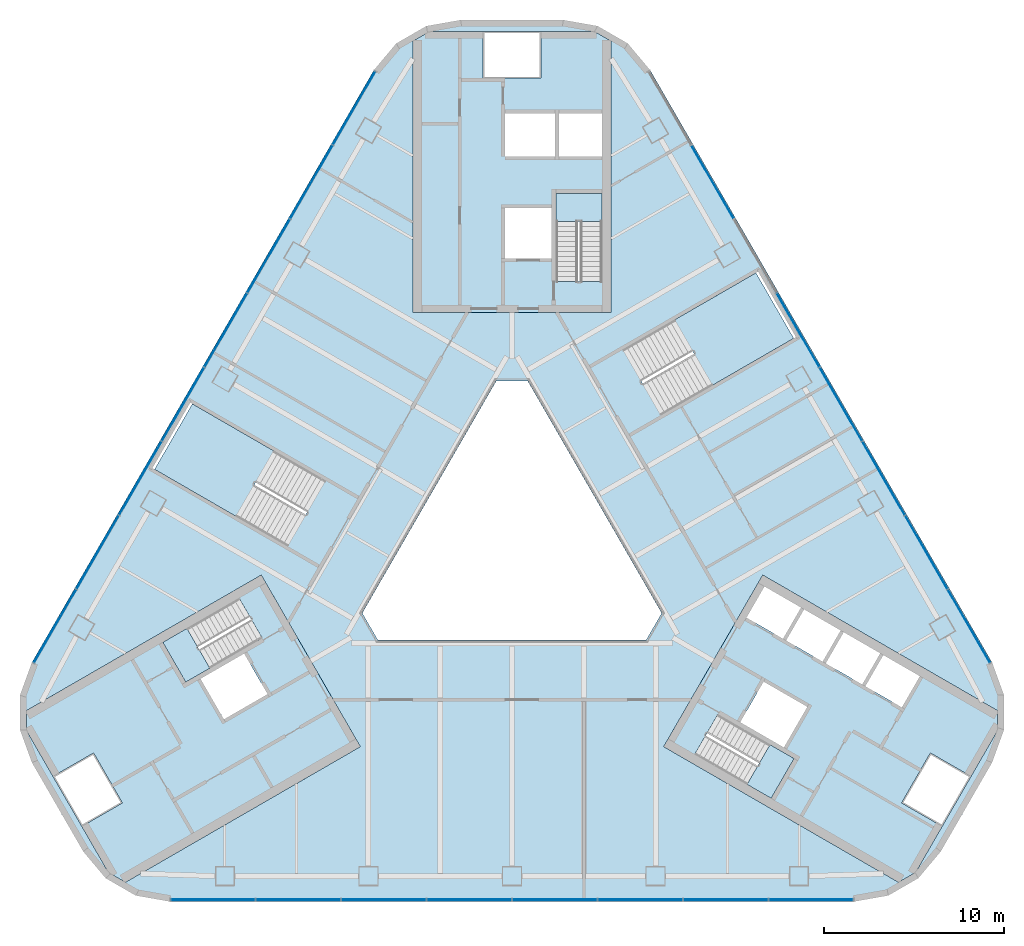
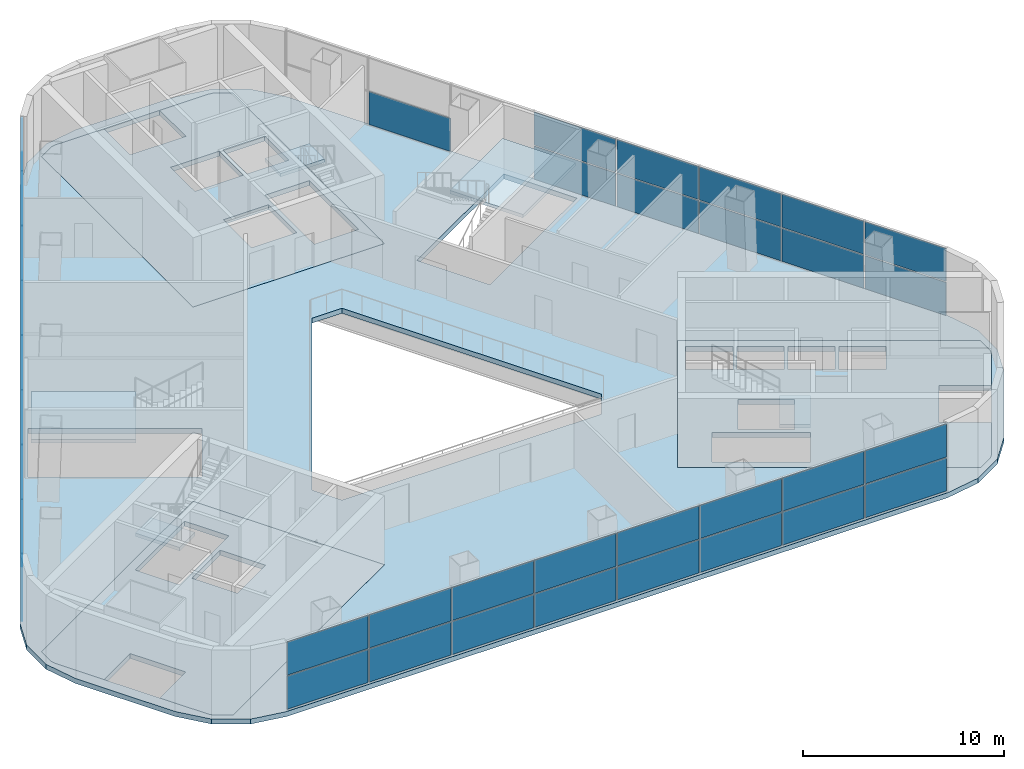
# One storey, part 6 of 12: 43 plates, 9 slabs, 8 elements without a shape of their own.
"""IFC4 building model written with IfcOpenShell, lengths in metres."""

from ifc_helpers import new_model, si_unit, direction, frame, origin, origin_2d, place, context, subcontext, project, spatial, polyline, rectangle, outline, extrude, material, layer, layer_set, type_object, element, aggregate, save


model = new_model("IFC4")

# Units and contexts
model_context = context("Model", 3, precision=1e-05, world=origin(), true_north=direction((0.0, 1.0)))
body_context = subcontext(model_context, "Body", "Model", "MODEL_VIEW")
ifc_project = project(units=[si_unit("LENGTHUNIT", "METRE"), si_unit("AREAUNIT", "SQUARE_METRE"), si_unit("VOLUMEUNIT", "CUBIC_METRE"), si_unit("PLANEANGLEUNIT", "RADIAN"), si_unit("MASSUNIT", "GRAM", prefix="KILO")], contexts=[model_context])

# Site, building, storey
site_placement = place(None, origin())
site = spatial("IfcSite", under=ifc_project, at=site_placement, CompositionType="ELEMENT")
building_placement = place(site_placement, origin())
building = spatial("IfcBuilding", under=site, at=building_placement, Name="Apuvela Tower Hotel", CompositionType="ELEMENT")
storey_placement = place(building_placement, frame((0.0, 0.0, 28.5)))
storey = spatial("IfcBuildingStorey", under=building, at=storey_placement, Name="L04", CompositionType="ELEMENT", Elevation=28.5)

# Slabs
ifc_material_1 = material(Name="Concrete C50/60", Category="concrete")
ifc_layer_1 = layer(ifc_material_1, 0.300048828125)
ifc_layer_set_1 = layer_set([ifc_layer_1], Name="COR-FLOOR-300")
slab_type_1 = type_object("IfcSlabType", Name="COR-FLOOR-300", PredefinedType="FLOOR", material=ifc_layer_set_1)
slab_1_placement = place(storey_placement, frame((0.0, 0.0, -0.300048828125)))
element("IfcSlab", 1, at=slab_1_placement, inside=storey, type_object=slab_type_1, Name="Core floor N", PredefinedType="FLOOR", context=body_context, shape_type="SweptSolid", body=[
    extrude(outline(polyline([(5.5, 27.96142578125), (4.6328125, 28.462158203125), (4.41845703125, 28.5), (1.60009765625, 28.5), (1.60009765625, 25.89990234375), (-1.60009765625, 25.89990234375), (-1.60009765625, 28.5), (-4.41845703125, 28.5), (-4.6328125, 28.462158203125), (-5.5, 27.96142578125), (-5.5, 12.89990234375), (5.5, 12.89990234375), (5.5, 27.96142578125)]), holes=[polyline([(5.0, 14.60595703125), (2.449951171875, 14.60595703125), (2.449951171875, 19.5), (5.0, 19.5), (5.0, 14.60595703125)]), polyline([(2.199951171875, 15.89990234375), (-0.39990234375, 15.89990234375), (-0.39990234375, 18.699951171875), (2.199951171875, 18.699951171875), (2.199951171875, 15.89990234375)]), polyline([(5.0, 21.550048828125), (2.60009765625, 21.550048828125), (2.60009765625, 23.949951171875), (5.0, 23.949951171875), (5.0, 21.550048828125)]), polyline([(2.39990234375, 21.550048828125), (-0.39990234375, 21.550048828125), (-0.39990234375, 23.949951171875), (2.39990234375, 23.949951171875), (2.39990234375, 21.550048828125)])]), origin(), (0.0, 0.0, 1.0), 0.300048828125),
])
slab_2_placement = place(storey_placement, frame((0.0, 0.0, -0.300048828125)))
element("IfcSlab", 2, at=slab_2_placement, inside=storey, type_object=slab_type_1, Name="Core floor SW", PredefinedType="FLOOR", context=body_context, shape_type="SweptSolid", body=[
    extrude(outline(polyline([(-26.96533203125, -9.217529296875), (-26.96533203125, -10.218994140625), (-26.89111328125, -10.423583984375), (-25.481689453125, -12.864501953125), (-23.22998046875, -11.564453125), (-21.630126953125, -14.335693359375), (-23.881591796875, -15.635498046875), (-22.472412109375, -18.076416015625), (-22.33251953125, -18.2431640625), (-21.46533203125, -18.743896484375), (-8.421630859375, -11.213134765625), (-13.921630859375, -1.68701171875), (-26.96533203125, -9.217529296875)]), holes=[polyline([(-13.874267578125, -5.18115234375), (-18.112548828125, -7.628173828125), (-19.387451171875, -5.419921875), (-15.149169921875, -2.972900390625), (-13.874267578125, -5.18115234375)]), polyline([(-13.56982421875, -8.29638671875), (-15.99462890625, -9.6962890625), (-17.294677734375, -7.444580078125), (-14.869873046875, -6.044677734375), (-13.56982421875, -8.29638671875)])]), origin(), (0.0, 0.0, 1.0), 0.300048828125),
])
slab_3_placement = place(storey_placement, frame((0.0, 0.0, -0.300048828125)))
element("IfcSlab", 3, at=slab_3_placement, inside=storey, type_object=slab_type_1, Name="Core floor SE", PredefinedType="FLOOR", context=body_context, shape_type="SweptSolid", body=[
    extrude(outline(polyline([(21.46533203125, -18.743896484375), (22.33251953125, -18.2431640625), (22.472412109375, -18.076416015625), (23.881591796875, -15.635498046875), (21.630126953125, -14.335693359375), (23.22998046875, -11.564453125), (25.481689453125, -12.864501953125), (26.89111328125, -10.423583984375), (26.96533203125, -10.218994140625), (26.96533203125, -9.217529296875), (13.921630859375, -1.68701171875), (8.421630859375, -11.213134765625), (21.46533203125, -18.743896484375)]), holes=[polyline([(13.01806640625, -4.052001953125), (14.01806640625, -2.31982421875), (16.044677734375, -3.489990234375), (15.044677734375, -5.221923828125), (13.01806640625, -4.052001953125)]), polyline([(17.244384765625, -6.491943359375), (15.2177734375, -5.322021484375), (16.2177734375, -3.58984375), (18.244384765625, -4.760009765625), (17.244384765625, -6.491943359375)]), polyline([(14.387451171875, -14.080078125), (10.149169921875, -11.633056640625), (11.42431640625, -9.4248046875), (15.66259765625, -11.871826171875), (14.387451171875, -14.080078125)]), polyline([(12.669921875, -9.855224609375), (13.9697265625, -7.603515625), (16.394775390625, -9.003662109375), (15.0947265625, -11.25537109375), (12.669921875, -9.855224609375)]), polyline([(19.444091796875, -7.761962890625), (17.41748046875, -6.591796875), (18.41748046875, -4.85986328125), (20.444091796875, -6.02978515625), (19.444091796875, -7.761962890625)]), polyline([(21.643798828125, -9.031982421875), (19.6171875, -7.86181640625), (20.6171875, -6.1298828125), (22.643798828125, -7.2998046875), (21.643798828125, -9.031982421875)])]), origin(), (0.0, 0.0, 1.0), 0.300048828125),
])

# Stair, slab
stair_type_1 = type_object("IfcStairType", Name="COR-STAIR-26R", PredefinedType="HALF_TURN_STAIR", material=ifc_material_1)
stair_1_placement = place(storey_placement, origin())
stair_1 = element("IfcStair", 4, at=stair_1_placement, inside=storey, type_object=stair_type_1, Name="L04 Exit stair ST1", PredefinedType="HALF_TURN_STAIR")
ifc_layer_2 = layer(ifc_material_1, 0.199951171875)
ifc_layer_set_2 = layer_set([ifc_layer_2], Name="COR-LANDING-200")
slab_type_2 = type_object("IfcSlabType", Name="COR-LANDING-200", PredefinedType="LANDING", material=ifc_layer_set_2)
slab_4_placement = place(storey_placement, frame((0.0, 0.0, 2.050048828125)))
slab_4 = element("IfcSlab", 5, at=slab_4_placement, type_object=slab_type_2, Name="ST1 landing 1", PredefinedType="LANDING", context=body_context, shape_type="SweptSolid", body=[
    extrude(outline(polyline([(5.0, 17.9541015625), (5.0, 19.5), (2.449951171875, 19.5), (2.449951171875, 17.9541015625), (5.0, 17.9541015625)])), origin(), (0.0, 0.0, 1.0), 0.199951171875),
])
aggregate(stair_1, [slab_4])

stair_2_placement = place(storey_placement, origin())
stair_2 = element("IfcStair", 6, at=stair_2_placement, inside=storey, type_object=stair_type_1, Name="L04 Exit stair ST2", PredefinedType="HALF_TURN_STAIR")
slab_5_placement = place(storey_placement, frame((0.0, 0.0, 2.050048828125)))
slab_5 = element("IfcSlab", 7, at=slab_5_placement, type_object=slab_type_2, Name="ST2 landing 1", PredefinedType="LANDING", context=body_context, shape_type="SweptSolid", body=[
    extrude(outline(polyline([(-18.048583984375, -4.64697265625), (-19.387451171875, -5.419921875), (-18.112548828125, -7.628173828125), (-16.773681640625, -6.855224609375), (-18.048583984375, -4.64697265625)])), origin(), (0.0, 0.0, 1.0), 0.199951171875),
])
aggregate(stair_2, [slab_5])

stair_3_placement = place(storey_placement, origin())
stair_3 = element("IfcStair", 8, at=stair_3_placement, inside=storey, type_object=stair_type_1, Name="L04 Exit stair ST3", PredefinedType="HALF_TURN_STAIR")
slab_6_placement = place(storey_placement, frame((0.0, 0.0, 2.050048828125)))
slab_6 = element("IfcSlab", 9, at=slab_6_placement, type_object=slab_type_2, Name="ST3 landing 1", PredefinedType="LANDING", context=body_context, shape_type="SweptSolid", body=[
    extrude(outline(polyline([(13.048583984375, -13.30712890625), (14.387451171875, -14.080078125), (15.66259765625, -11.871826171875), (14.32373046875, -11.098876953125), (13.048583984375, -13.30712890625)])), origin(), (0.0, 0.0, 1.0), 0.199951171875),
])
aggregate(stair_3, [slab_6])

# Curtain wall, plates
ifc_material_2 = material(Name="Aluminium 6063-T6, dark bronze anodised", Category="aluminium")
ifc_layer_3 = layer(ifc_material_2, 0.199951171875)
ifc_layer_set_3 = layer_set([ifc_layer_3], Name="ENV-CW-P")
curtain_wall_type = type_object("IfcCurtainWallType", Name="ENV-CW-P", PredefinedType="NOTDEFINED", material=ifc_layer_set_3)
curtain_wall_1_placement = place(storey_placement, origin())
curtain_wall_1 = element("IfcCurtainWall", 10, at=curtain_wall_1_placement, inside=storey, type_object=curtain_wall_type, Name="Curtain wall CW-P S L04", PredefinedType="NOTDEFINED")
ifc_material_3 = material(Name="Glass, dark tinted laminated insulated glazing unit", Category="glass")
ifc_layer_4 = layer(ifc_material_3, 0.0400390625)
ifc_layer_set_4 = layer_set([ifc_layer_4], Name="ENV-PANEL-IGU-40")
plate_type = type_object("IfcPlateType", Name="ENV-PANEL-IGU-40", PredefinedType="CURTAIN_PANEL", material=ifc_layer_set_4)
plate_1_placement = place(storey_placement, frame((-16.602294921875, -19.71435546875, 0.06494140625), z_axis=(0.0, 0.0, 1.0), x_axis=(1.0, 0.0, 0.0)))
plate_1 = element("IfcPlate", 11, at=plate_1_placement, type_object=plate_type, Name="CW-P panel 1.1", PredefinedType="CURTAIN_PANEL", context=body_context, shape_type="SweptSolid", body=[
    extrude(rectangle(XDim=4.650634765625, YDim=0.0400390625, at=origin_2d()), origin(), (0.0, 0.0, 1.0), 2.00244140625),
])
plate_2_placement = place(storey_placement, frame((-16.602294921875, -19.71435546875, 2.132568359375), z_axis=(0.0, 0.0, 1.0), x_axis=(1.0, 0.0, 0.0)))
plate_2 = element("IfcPlate", 12, at=plate_2_placement, type_object=plate_type, Name="CW-P panel 1.2", PredefinedType="CURTAIN_PANEL", context=body_context, shape_type="SweptSolid", body=[
    extrude(rectangle(XDim=4.650634765625, YDim=0.0400390625, at=origin_2d()), origin(), (0.0, 0.0, 1.0), 2.00244140625),
])
plate_3_placement = place(storey_placement, frame((-11.870361328125, -19.71435546875, 0.06494140625), z_axis=(0.0, 0.0, 1.0), x_axis=(1.0, 0.0, 0.0)))
plate_3 = element("IfcPlate", 13, at=plate_3_placement, type_object=plate_type, Name="CW-P panel 2.1", PredefinedType="CURTAIN_PANEL", context=body_context, shape_type="SweptSolid", body=[
    extrude(rectangle(XDim=4.68310546875, YDim=0.0400390625, at=origin_2d()), origin(), (0.0, 0.0, 1.0), 2.00244140625),
])
plate_4_placement = place(storey_placement, frame((-11.870361328125, -19.71435546875, 2.132568359375), z_axis=(0.0, 0.0, 1.0), x_axis=(1.0, 0.0, 0.0)))
plate_4 = element("IfcPlate", 14, at=plate_4_placement, type_object=plate_type, Name="CW-P panel 2.2", PredefinedType="CURTAIN_PANEL", context=body_context, shape_type="SweptSolid", body=[
    extrude(rectangle(XDim=4.68310546875, YDim=0.0400390625, at=origin_2d()), origin(), (0.0, 0.0, 1.0), 2.00244140625),
])
plate_5_placement = place(storey_placement, frame((-7.1220703125, -19.71435546875, 0.06494140625), z_axis=(0.0, 0.0, 1.0), x_axis=(1.0, 0.0, 0.0)))
plate_5 = element("IfcPlate", 15, at=plate_5_placement, type_object=plate_type, Name="CW-P panel 3.1", PredefinedType="CURTAIN_PANEL", context=body_context, shape_type="SweptSolid", body=[
    extrude(rectangle(XDim=4.68310546875, YDim=0.0400390625, at=origin_2d()), origin(), (0.0, 0.0, 1.0), 2.00244140625),
])
plate_6_placement = place(storey_placement, frame((-7.1220703125, -19.71435546875, 2.132568359375), z_axis=(0.0, 0.0, 1.0), x_axis=(1.0, 0.0, 0.0)))
plate_6 = element("IfcPlate", 16, at=plate_6_placement, type_object=plate_type, Name="CW-P panel 3.2", PredefinedType="CURTAIN_PANEL", context=body_context, shape_type="SweptSolid", body=[
    extrude(rectangle(XDim=4.68310546875, YDim=0.0400390625, at=origin_2d()), origin(), (0.0, 0.0, 1.0), 2.00244140625),
])
plate_7_placement = place(storey_placement, frame((-2.3740234375, -19.71435546875, 0.06494140625), z_axis=(0.0, 0.0, 1.0), x_axis=(1.0, 0.0, 0.0)))
plate_7 = element("IfcPlate", 17, at=plate_7_placement, type_object=plate_type, Name="CW-P panel 4.1", PredefinedType="CURTAIN_PANEL", context=body_context, shape_type="SweptSolid", body=[
    extrude(rectangle(XDim=4.68310546875, YDim=0.0400390625, at=origin_2d()), origin(), (0.0, 0.0, 1.0), 2.00244140625),
])
plate_8_placement = place(storey_placement, frame((-2.3740234375, -19.71435546875, 2.132568359375), z_axis=(0.0, 0.0, 1.0), x_axis=(1.0, 0.0, 0.0)))
plate_8 = element("IfcPlate", 18, at=plate_8_placement, type_object=plate_type, Name="CW-P panel 4.2", PredefinedType="CURTAIN_PANEL", context=body_context, shape_type="SweptSolid", body=[
    extrude(rectangle(XDim=4.68310546875, YDim=0.0400390625, at=origin_2d()), origin(), (0.0, 0.0, 1.0), 2.00244140625),
])
plate_9_placement = place(storey_placement, frame((2.3740234375, -19.71435546875, 0.06494140625), z_axis=(0.0, 0.0, 1.0), x_axis=(1.0, 0.0, 0.0)))
plate_9 = element("IfcPlate", 19, at=plate_9_placement, type_object=plate_type, Name="CW-P panel 5.1", PredefinedType="CURTAIN_PANEL", context=body_context, shape_type="SweptSolid", body=[
    extrude(rectangle(XDim=4.68310546875, YDim=0.0400390625, at=origin_2d()), origin(), (0.0, 0.0, 1.0), 2.00244140625),
])
plate_10_placement = place(storey_placement, frame((2.3740234375, -19.71435546875, 2.132568359375), z_axis=(0.0, 0.0, 1.0), x_axis=(1.0, 0.0, 0.0)))
plate_10 = element("IfcPlate", 20, at=plate_10_placement, type_object=plate_type, Name="CW-P panel 5.2", PredefinedType="CURTAIN_PANEL", context=body_context, shape_type="SweptSolid", body=[
    extrude(rectangle(XDim=4.68310546875, YDim=0.0400390625, at=origin_2d()), origin(), (0.0, 0.0, 1.0), 2.00244140625),
])
plate_11_placement = place(storey_placement, frame((7.1220703125, -19.71435546875, 0.06494140625), z_axis=(0.0, 0.0, 1.0), x_axis=(1.0, 0.0, 0.0)))
plate_11 = element("IfcPlate", 21, at=plate_11_placement, type_object=plate_type, Name="CW-P panel 6.1", PredefinedType="CURTAIN_PANEL", context=body_context, shape_type="SweptSolid", body=[
    extrude(rectangle(XDim=4.68310546875, YDim=0.0400390625, at=origin_2d()), origin(), (0.0, 0.0, 1.0), 2.00244140625),
])
plate_12_placement = place(storey_placement, frame((7.1220703125, -19.71435546875, 2.132568359375), z_axis=(0.0, 0.0, 1.0), x_axis=(1.0, 0.0, 0.0)))
plate_12 = element("IfcPlate", 22, at=plate_12_placement, type_object=plate_type, Name="CW-P panel 6.2", PredefinedType="CURTAIN_PANEL", context=body_context, shape_type="SweptSolid", body=[
    extrude(rectangle(XDim=4.68310546875, YDim=0.0400390625, at=origin_2d()), origin(), (0.0, 0.0, 1.0), 2.00244140625),
])
plate_13_placement = place(storey_placement, frame((11.870361328125, -19.71435546875, 0.06494140625), z_axis=(0.0, 0.0, 1.0), x_axis=(1.0, 0.0, 0.0)))
plate_13 = element("IfcPlate", 23, at=plate_13_placement, type_object=plate_type, Name="CW-P panel 7.1", PredefinedType="CURTAIN_PANEL", context=body_context, shape_type="SweptSolid", body=[
    extrude(rectangle(XDim=4.68310546875, YDim=0.0400390625, at=origin_2d()), origin(), (0.0, 0.0, 1.0), 2.00244140625),
])
plate_14_placement = place(storey_placement, frame((11.870361328125, -19.71435546875, 2.132568359375), z_axis=(0.0, 0.0, 1.0), x_axis=(1.0, 0.0, 0.0)))
plate_14 = element("IfcPlate", 24, at=plate_14_placement, type_object=plate_type, Name="CW-P panel 7.2", PredefinedType="CURTAIN_PANEL", context=body_context, shape_type="SweptSolid", body=[
    extrude(rectangle(XDim=4.68310546875, YDim=0.0400390625, at=origin_2d()), origin(), (0.0, 0.0, 1.0), 2.00244140625),
])
plate_15_placement = place(storey_placement, frame((16.602294921875, -19.71435546875, 0.06494140625), z_axis=(0.0, 0.0, 1.0), x_axis=(1.0, 0.0, 0.0)))
plate_15 = element("IfcPlate", 25, at=plate_15_placement, type_object=plate_type, Name="CW-P panel 8.1", PredefinedType="CURTAIN_PANEL", context=body_context, shape_type="SweptSolid", body=[
    extrude(rectangle(XDim=4.650634765625, YDim=0.0400390625, at=origin_2d()), origin(), (0.0, 0.0, 1.0), 2.00244140625),
])
plate_16_placement = place(storey_placement, frame((16.602294921875, -19.71435546875, 2.132568359375), z_axis=(0.0, 0.0, 1.0), x_axis=(1.0, 0.0, 0.0)))
plate_16 = element("IfcPlate", 26, at=plate_16_placement, type_object=plate_type, Name="CW-P panel 8.2", PredefinedType="CURTAIN_PANEL", context=body_context, shape_type="SweptSolid", body=[
    extrude(rectangle(XDim=4.650634765625, YDim=0.0400390625, at=origin_2d()), origin(), (0.0, 0.0, 1.0), 2.00244140625),
])
aggregate(curtain_wall_1, [plate_1, plate_2, plate_3, plate_4, plate_5, plate_6, plate_7, plate_8, plate_9, plate_10, plate_11, plate_12, plate_13, plate_14, plate_15, plate_16])

curtain_wall_2_placement = place(storey_placement, origin())
curtain_wall_2 = element("IfcCurtainWall", 27, at=curtain_wall_2_placement, inside=storey, type_object=curtain_wall_type, Name="Curtain wall CW-P NE L04", PredefinedType="NOTDEFINED")
plate_17_placement = place(storey_placement, frame((25.374267578125, -4.520751953125, 0.06494140625), z_axis=(0.0, 0.0, 1.0), x_axis=(-0.500001689039, 0.866024428615, 0.0)))
plate_17 = element("IfcPlate", 28, at=plate_17_placement, type_object=plate_type, Name="CW-P panel 1.1", PredefinedType="CURTAIN_PANEL", context=body_context, shape_type="SweptSolid", body=[
    extrude(rectangle(XDim=4.650634765625, YDim=0.0400390625, at=origin_2d()), origin(), (0.0, 0.0, 1.0), 2.00244140625),
])
plate_18_placement = place(storey_placement, frame((25.374267578125, -4.520751953125, 2.132568359375), z_axis=(0.0, 0.0, 1.0), x_axis=(-0.500001689039, 0.866024428615, 0.0)))
plate_18 = element("IfcPlate", 29, at=plate_18_placement, type_object=plate_type, Name="CW-P panel 1.2", PredefinedType="CURTAIN_PANEL", context=body_context, shape_type="SweptSolid", body=[
    extrude(rectangle(XDim=4.650634765625, YDim=0.0400390625, at=origin_2d()), origin(), (0.0, 0.0, 1.0), 2.00244140625),
])
plate_19_placement = place(storey_placement, frame((23.00830078125, -0.4228515625, 0.06494140625), z_axis=(0.0, 0.0, 1.0), x_axis=(-0.500001689039, 0.866024428615, 0.0)))
plate_19 = element("IfcPlate", 30, at=plate_19_placement, type_object=plate_type, Name="CW-P panel 2.1", PredefinedType="CURTAIN_PANEL", context=body_context, shape_type="SweptSolid", body=[
    extrude(rectangle(XDim=4.68310546875, YDim=0.0400390625, at=origin_2d()), origin(), (0.0, 0.0, 1.0), 2.00244140625),
])
plate_20_placement = place(storey_placement, frame((23.00830078125, -0.4228515625, 2.132568359375), z_axis=(0.0, 0.0, 1.0), x_axis=(-0.500001689039, 0.866024428615, 0.0)))
plate_20 = element("IfcPlate", 31, at=plate_20_placement, type_object=plate_type, Name="CW-P panel 2.2", PredefinedType="CURTAIN_PANEL", context=body_context, shape_type="SweptSolid", body=[
    extrude(rectangle(XDim=4.68310546875, YDim=0.0400390625, at=origin_2d()), origin(), (0.0, 0.0, 1.0), 2.00244140625),
])
plate_21_placement = place(storey_placement, frame((20.63427734375, 3.689208984375, 0.06494140625), z_axis=(0.0, 0.0, 1.0), x_axis=(-0.500001689039, 0.866024428615, 0.0)))
plate_21 = element("IfcPlate", 32, at=plate_21_placement, type_object=plate_type, Name="CW-P panel 3.1", PredefinedType="CURTAIN_PANEL", context=body_context, shape_type="SweptSolid", body=[
    extrude(rectangle(XDim=4.68310546875, YDim=0.0400390625, at=origin_2d()), origin(), (0.0, 0.0, 1.0), 2.00244140625),
])
plate_22_placement = place(storey_placement, frame((20.63427734375, 3.689208984375, 2.132568359375), z_axis=(0.0, 0.0, 1.0), x_axis=(-0.500001689039, 0.866024428615, 0.0)))
plate_22 = element("IfcPlate", 33, at=plate_22_placement, type_object=plate_type, Name="CW-P panel 3.2", PredefinedType="CURTAIN_PANEL", context=body_context, shape_type="SweptSolid", body=[
    extrude(rectangle(XDim=4.68310546875, YDim=0.0400390625, at=origin_2d()), origin(), (0.0, 0.0, 1.0), 2.00244140625),
])
plate_23_placement = place(storey_placement, frame((18.26025390625, 7.80126953125, 0.06494140625), z_axis=(0.0, 0.0, 1.0), x_axis=(-0.500001689039, 0.866024428615, 0.0)))
plate_23 = element("IfcPlate", 34, at=plate_23_placement, type_object=plate_type, Name="CW-P panel 4.1", PredefinedType="CURTAIN_PANEL", context=body_context, shape_type="SweptSolid", body=[
    extrude(rectangle(XDim=4.68310546875, YDim=0.0400390625, at=origin_2d()), origin(), (0.0, 0.0, 1.0), 2.00244140625),
])
plate_24_placement = place(storey_placement, frame((18.26025390625, 7.80126953125, 2.132568359375), z_axis=(0.0, 0.0, 1.0), x_axis=(-0.500001689039, 0.866024428615, 0.0)))
plate_24 = element("IfcPlate", 35, at=plate_24_placement, type_object=plate_type, Name="CW-P panel 4.2", PredefinedType="CURTAIN_PANEL", context=body_context, shape_type="SweptSolid", body=[
    extrude(rectangle(XDim=4.68310546875, YDim=0.0400390625, at=origin_2d()), origin(), (0.0, 0.0, 1.0), 2.00244140625),
])
plate_25_placement = place(storey_placement, frame((15.885986328125, 11.9130859375, 0.06494140625), z_axis=(0.0, 0.0, 1.0), x_axis=(-0.500001689039, 0.866024428615, 0.0)))
plate_25 = element("IfcPlate", 36, at=plate_25_placement, type_object=plate_type, Name="CW-P panel 5.1", PredefinedType="CURTAIN_PANEL", context=body_context, shape_type="SweptSolid", body=[
    extrude(rectangle(XDim=4.68310546875, YDim=0.0400390625, at=origin_2d()), origin(), (0.0, 0.0, 1.0), 2.00244140625),
])
plate_26_placement = place(storey_placement, frame((15.885986328125, 11.9130859375, 2.132568359375), z_axis=(0.0, 0.0, 1.0), x_axis=(-0.500001689039, 0.866024428615, 0.0)))
plate_26 = element("IfcPlate", 37, at=plate_26_placement, type_object=plate_type, Name="CW-P panel 5.2", PredefinedType="CURTAIN_PANEL", context=body_context, shape_type="SweptSolid", body=[
    extrude(rectangle(XDim=4.68310546875, YDim=0.0400390625, at=origin_2d()), origin(), (0.0, 0.0, 1.0), 2.00244140625),
])
plate_27_placement = place(storey_placement, frame((11.137939453125, 20.13720703125, 0.06494140625), z_axis=(0.0, 0.0, 1.0), x_axis=(-0.500001689039, 0.866024428615, 0.0)))
plate_27 = element("IfcPlate", 38, at=plate_27_placement, type_object=plate_type, Name="CW-P panel 7.1", PredefinedType="CURTAIN_PANEL", context=body_context, shape_type="SweptSolid", body=[
    extrude(rectangle(XDim=4.68310546875, YDim=0.0400390625, at=origin_2d()), origin(), (0.0, 0.0, 1.0), 2.00244140625),
])
aggregate(curtain_wall_2, [plate_17, plate_18, plate_19, plate_20, plate_21, plate_22, plate_23, plate_24, plate_25, plate_26, plate_27])

curtain_wall_3_placement = place(storey_placement, origin())
curtain_wall_3 = element("IfcCurtainWall", 39, at=curtain_wall_3_placement, inside=storey, type_object=curtain_wall_type, Name="Curtain wall CW-P NW L04", PredefinedType="NOTDEFINED")
plate_28_placement = place(storey_placement, frame((-8.77197265625, 24.235107421875, 0.06494140625), z_axis=(0.0, 0.0, 1.0), x_axis=(-0.500001689039, -0.866024428615, 0.0)))
plate_28 = element("IfcPlate", 40, at=plate_28_placement, type_object=plate_type, Name="CW-P panel 1.1", PredefinedType="CURTAIN_PANEL", context=body_context, shape_type="SweptSolid", body=[
    extrude(rectangle(XDim=4.650634765625, YDim=0.0400390625, at=origin_2d()), origin(), (0.0, 0.0, 1.0), 2.00244140625),
])
plate_29_placement = place(storey_placement, frame((-8.77197265625, 24.235107421875, 2.132568359375), z_axis=(0.0, 0.0, 1.0), x_axis=(-0.500001689039, -0.866024428615, 0.0)))
plate_29 = element("IfcPlate", 41, at=plate_29_placement, type_object=plate_type, Name="CW-P panel 1.2", PredefinedType="CURTAIN_PANEL", context=body_context, shape_type="SweptSolid", body=[
    extrude(rectangle(XDim=4.650634765625, YDim=0.0400390625, at=origin_2d()), origin(), (0.0, 0.0, 1.0), 2.00244140625),
])
plate_30_placement = place(storey_placement, frame((-11.137939453125, 20.13720703125, 0.06494140625), z_axis=(0.0, 0.0, 1.0), x_axis=(-0.500001689039, -0.866024428615, 0.0)))
plate_30 = element("IfcPlate", 42, at=plate_30_placement, type_object=plate_type, Name="CW-P panel 2.1", PredefinedType="CURTAIN_PANEL", context=body_context, shape_type="SweptSolid", body=[
    extrude(rectangle(XDim=4.68310546875, YDim=0.0400390625, at=origin_2d()), origin(), (0.0, 0.0, 1.0), 2.00244140625),
])
plate_31_placement = place(storey_placement, frame((-11.137939453125, 20.13720703125, 2.132568359375), z_axis=(0.0, 0.0, 1.0), x_axis=(-0.500001689039, -0.866024428615, 0.0)))
plate_31 = element("IfcPlate", 43, at=plate_31_placement, type_object=plate_type, Name="CW-P panel 2.2", PredefinedType="CURTAIN_PANEL", context=body_context, shape_type="SweptSolid", body=[
    extrude(rectangle(XDim=4.68310546875, YDim=0.0400390625, at=origin_2d()), origin(), (0.0, 0.0, 1.0), 2.00244140625),
])
plate_32_placement = place(storey_placement, frame((-13.511962890625, 16.025146484375, 0.06494140625), z_axis=(0.0, 0.0, 1.0), x_axis=(-0.500001689039, -0.866024428615, 0.0)))
plate_32 = element("IfcPlate", 44, at=plate_32_placement, type_object=plate_type, Name="CW-P panel 3.1", PredefinedType="CURTAIN_PANEL", context=body_context, shape_type="SweptSolid", body=[
    extrude(rectangle(XDim=4.68310546875, YDim=0.0400390625, at=origin_2d()), origin(), (0.0, 0.0, 1.0), 2.00244140625),
])
plate_33_placement = place(storey_placement, frame((-13.511962890625, 16.025146484375, 2.132568359375), z_axis=(0.0, 0.0, 1.0), x_axis=(-0.500001689039, -0.866024428615, 0.0)))
plate_33 = element("IfcPlate", 45, at=plate_33_placement, type_object=plate_type, Name="CW-P panel 3.2", PredefinedType="CURTAIN_PANEL", context=body_context, shape_type="SweptSolid", body=[
    extrude(rectangle(XDim=4.68310546875, YDim=0.0400390625, at=origin_2d()), origin(), (0.0, 0.0, 1.0), 2.00244140625),
])
plate_34_placement = place(storey_placement, frame((-15.885986328125, 11.9130859375, 0.06494140625), z_axis=(0.0, 0.0, 1.0), x_axis=(-0.500001689039, -0.866024428615, 0.0)))
plate_34 = element("IfcPlate", 46, at=plate_34_placement, type_object=plate_type, Name="CW-P panel 4.1", PredefinedType="CURTAIN_PANEL", context=body_context, shape_type="SweptSolid", body=[
    extrude(rectangle(XDim=4.68310546875, YDim=0.0400390625, at=origin_2d()), origin(), (0.0, 0.0, 1.0), 2.00244140625),
])
plate_35_placement = place(storey_placement, frame((-15.885986328125, 11.9130859375, 2.132568359375), z_axis=(0.0, 0.0, 1.0), x_axis=(-0.500001689039, -0.866024428615, 0.0)))
plate_35 = element("IfcPlate", 47, at=plate_35_placement, type_object=plate_type, Name="CW-P panel 4.2", PredefinedType="CURTAIN_PANEL", context=body_context, shape_type="SweptSolid", body=[
    extrude(rectangle(XDim=4.68310546875, YDim=0.0400390625, at=origin_2d()), origin(), (0.0, 0.0, 1.0), 2.00244140625),
])
plate_36_placement = place(storey_placement, frame((-18.26025390625, 7.80126953125, 0.06494140625), z_axis=(0.0, 0.0, 1.0), x_axis=(-0.500001689039, -0.866024428615, 0.0)))
plate_36 = element("IfcPlate", 48, at=plate_36_placement, type_object=plate_type, Name="CW-P panel 5.1", PredefinedType="CURTAIN_PANEL", context=body_context, shape_type="SweptSolid", body=[
    extrude(rectangle(XDim=4.68310546875, YDim=0.0400390625, at=origin_2d()), origin(), (0.0, 0.0, 1.0), 2.00244140625),
])
plate_37_placement = place(storey_placement, frame((-18.26025390625, 7.80126953125, 2.132568359375), z_axis=(0.0, 0.0, 1.0), x_axis=(-0.500001689039, -0.866024428615, 0.0)))
plate_37 = element("IfcPlate", 49, at=plate_37_placement, type_object=plate_type, Name="CW-P panel 5.2", PredefinedType="CURTAIN_PANEL", context=body_context, shape_type="SweptSolid", body=[
    extrude(rectangle(XDim=4.68310546875, YDim=0.0400390625, at=origin_2d()), origin(), (0.0, 0.0, 1.0), 2.00244140625),
])
plate_38_placement = place(storey_placement, frame((-20.63427734375, 3.689208984375, 0.06494140625), z_axis=(0.0, 0.0, 1.0), x_axis=(-0.500001689039, -0.866024428615, 0.0)))
plate_38 = element("IfcPlate", 50, at=plate_38_placement, type_object=plate_type, Name="CW-P panel 6.1", PredefinedType="CURTAIN_PANEL", context=body_context, shape_type="SweptSolid", body=[
    extrude(rectangle(XDim=4.68310546875, YDim=0.0400390625, at=origin_2d()), origin(), (0.0, 0.0, 1.0), 2.00244140625),
])
plate_39_placement = place(storey_placement, frame((-20.63427734375, 3.689208984375, 2.132568359375), z_axis=(0.0, 0.0, 1.0), x_axis=(-0.500001689039, -0.866024428615, 0.0)))
plate_39 = element("IfcPlate", 51, at=plate_39_placement, type_object=plate_type, Name="CW-P panel 6.2", PredefinedType="CURTAIN_PANEL", context=body_context, shape_type="SweptSolid", body=[
    extrude(rectangle(XDim=4.68310546875, YDim=0.0400390625, at=origin_2d()), origin(), (0.0, 0.0, 1.0), 2.00244140625),
])
plate_40_placement = place(storey_placement, frame((-23.00830078125, -0.4228515625, 0.06494140625), z_axis=(0.0, 0.0, 1.0), x_axis=(-0.500001689039, -0.866024428615, 0.0)))
plate_40 = element("IfcPlate", 52, at=plate_40_placement, type_object=plate_type, Name="CW-P panel 7.1", PredefinedType="CURTAIN_PANEL", context=body_context, shape_type="SweptSolid", body=[
    extrude(rectangle(XDim=4.68310546875, YDim=0.0400390625, at=origin_2d()), origin(), (0.0, 0.0, 1.0), 2.00244140625),
])
plate_41_placement = place(storey_placement, frame((-23.00830078125, -0.4228515625, 2.132568359375), z_axis=(0.0, 0.0, 1.0), x_axis=(-0.500001689039, -0.866024428615, 0.0)))
plate_41 = element("IfcPlate", 53, at=plate_41_placement, type_object=plate_type, Name="CW-P panel 7.2", PredefinedType="CURTAIN_PANEL", context=body_context, shape_type="SweptSolid", body=[
    extrude(rectangle(XDim=4.68310546875, YDim=0.0400390625, at=origin_2d()), origin(), (0.0, 0.0, 1.0), 2.00244140625),
])
plate_42_placement = place(storey_placement, frame((-25.374267578125, -4.520751953125, 0.06494140625), z_axis=(0.0, 0.0, 1.0), x_axis=(-0.500001689039, -0.866024428615, 0.0)))
plate_42 = element("IfcPlate", 54, at=plate_42_placement, type_object=plate_type, Name="CW-P panel 8.1", PredefinedType="CURTAIN_PANEL", context=body_context, shape_type="SweptSolid", body=[
    extrude(rectangle(XDim=4.650634765625, YDim=0.0400390625, at=origin_2d()), origin(), (0.0, 0.0, 1.0), 2.00244140625),
])
plate_43_placement = place(storey_placement, frame((-25.374267578125, -4.520751953125, 2.132568359375), z_axis=(0.0, 0.0, 1.0), x_axis=(-0.500001689039, -0.866024428615, 0.0)))
plate_43 = element("IfcPlate", 55, at=plate_43_placement, type_object=plate_type, Name="CW-P panel 8.2", PredefinedType="CURTAIN_PANEL", context=body_context, shape_type="SweptSolid", body=[
    extrude(rectangle(XDim=4.650634765625, YDim=0.0400390625, at=origin_2d()), origin(), (0.0, 0.0, 1.0), 2.00244140625),
])
aggregate(curtain_wall_3, [plate_28, plate_29, plate_30, plate_31, plate_32, plate_33, plate_34, plate_35, plate_36, plate_37, plate_38, plate_39, plate_40, plate_41, plate_42, plate_43])

# Stair, slab
ifc_material_4 = material(Name="Concrete C40/50", Category="concrete")
stair_type_2 = type_object("IfcStairType", Name="SPC-STAIR-PS", PredefinedType="HALF_TURN_STAIR", material=ifc_material_4)
stair_4_placement = place(storey_placement, origin())
stair_4 = element("IfcStair", 56, at=stair_4_placement, inside=storey, type_object=stair_type_2, Name="L04 Protected exit stair PS1", PredefinedType="HALF_TURN_STAIR")
ifc_layer_5 = layer(ifc_material_4, 0.199951171875)
ifc_layer_set_5 = layer_set([ifc_layer_5], Name="SPC-LANDING-PS")
slab_type_3 = type_object("IfcSlabType", Name="SPC-LANDING-PS", PredefinedType="LANDING", material=ifc_layer_set_5)
slab_7_placement = place(storey_placement, frame((0.0, 0.0, 2.050048828125)))
slab_7 = element("IfcSlab", 57, at=slab_7_placement, type_object=slab_type_3, Name="PS1 landing 1", PredefinedType="LANDING", context=body_context, shape_type="SweptSolid", body=[
    extrude(outline(polyline([(11.1220703125, 8.84619140625), (15.6435546875, 11.456787109375), (13.54345703125, 15.093994140625), (9.02197265625, 12.4833984375), (11.1220703125, 8.84619140625)])), origin(), (0.0, 0.0, 1.0), 0.199951171875),
])
aggregate(stair_4, [slab_7])

stair_5_placement = place(storey_placement, origin())
stair_5 = element("IfcStair", 58, at=stair_5_placement, inside=storey, type_object=stair_type_2, Name="L04 Protected exit stair PS2", PredefinedType="HALF_TURN_STAIR")
slab_8_placement = place(storey_placement, frame((0.0, 0.0, 2.050048828125)))
slab_8 = element("IfcSlab", 59, at=slab_8_placement, type_object=slab_type_3, Name="PS2 landing 1", PredefinedType="LANDING", context=body_context, shape_type="SweptSolid", body=[
    extrude(outline(polyline([(-13.221923828125, 5.208740234375), (-17.74365234375, 7.8193359375), (-19.843505859375, 4.18212890625), (-15.322021484375, 1.571533203125), (-13.221923828125, 5.208740234375)])), origin(), (0.0, 0.0, 1.0), 0.199951171875),
])
aggregate(stair_5, [slab_8])

# Slab
ifc_material_5 = material(Name="Concrete C35/45", Category="concrete")
ifc_layer_6 = layer(ifc_material_5, 0.300048828125)
ifc_layer_set_6 = layer_set([ifc_layer_6], Name="STR-SLAB 300 floor Concrete C35/45")
slab_type_4 = type_object("IfcSlabType", Name="STR-SLAB 300 floor Concrete C35/45", PredefinedType="FLOOR", material=ifc_layer_set_6)
slab_9_placement = place(storey_placement, frame((0.0, 0.0, -0.300048828125)))
element("IfcSlab", 60, at=slab_9_placement, inside=storey, type_object=slab_type_4, Name="Floor slab S2 L04", PredefinedType="FLOOR", context=body_context, shape_type="SweptSolid", body=[
    extrude(outline(polyline([(7.663330078125, 26.355224609375), (6.424072265625, 27.83203125), (4.75439453125, 28.796142578125), (2.855712890625, 29.131103515625), (-2.855712890625, 29.131103515625), (-4.75439453125, 28.796142578125), (-6.424072265625, 27.83203125), (-7.663330078125, 26.355224609375), (-26.656005859375, -6.540771484375), (-27.3154296875, -8.3525390625), (-27.3154296875, -10.28076171875), (-26.656005859375, -12.092529296875), (-23.80029296875, -17.03857421875), (-22.56103515625, -18.515380859375), (-20.891357421875, -19.4794921875), (-18.992431640625, -19.814208984375), (18.992431640625, -19.814208984375), (20.891357421875, -19.4794921875), (22.56103515625, -18.515380859375), (23.80029296875, -17.03857421875), (26.656005859375, -12.092529296875), (27.3154296875, -10.28076171875), (27.3154296875, -8.3525390625), (26.656005859375, -6.540771484375), (7.663330078125, 26.355224609375)]), holes=[polyline([(0.865966796875, 9.10009765625), (-0.865966796875, 9.10009765625), (-8.313720703125, -3.800048828125), (-7.44775390625, -5.300048828125), (7.44775390625, -5.300048828125), (8.313720703125, -3.800048828125), (0.865966796875, 9.10009765625)]), polyline([(-5.5, 12.89990234375), (-5.5, 27.96142578125), (-4.6328125, 28.462158203125), (-4.41845703125, 28.5), (4.41845703125, 28.5), (4.6328125, 28.462158203125), (5.5, 27.96142578125), (5.5, 12.89990234375), (-5.5, 12.89990234375)]), polyline([(-8.421630859375, -11.213134765625), (-21.46533203125, -18.743896484375), (-22.33251953125, -18.2431640625), (-22.472412109375, -18.076416015625), (-26.89111328125, -10.423583984375), (-26.96533203125, -10.218994140625), (-26.96533203125, -9.217529296875), (-13.921630859375, -1.68701171875), (-8.421630859375, -11.213134765625)]), polyline([(13.921630859375, -1.68701171875), (26.96533203125, -9.217529296875), (26.96533203125, -10.218994140625), (26.89111328125, -10.423583984375), (22.472412109375, -18.076416015625), (22.33251953125, -18.2431640625), (21.46533203125, -18.743896484375), (8.421630859375, -11.213134765625), (13.921630859375, -1.68701171875)]), polyline([(8.26416015625, 7.1962890625), (6.1640625, 10.83349609375), (13.663330078125, 15.1630859375), (15.76318359375, 11.52587890625), (8.26416015625, 7.1962890625)]), polyline([(-12.464111328125, -0.07861328125), (-19.96337890625, 4.251220703125), (-17.86328125, 7.888427734375), (-10.364013671875, 3.558837890625), (-12.464111328125, -0.07861328125)])]), origin(), (0.0, 0.0, 1.0), 0.300048828125),
])

save(model, "model.ifc")
